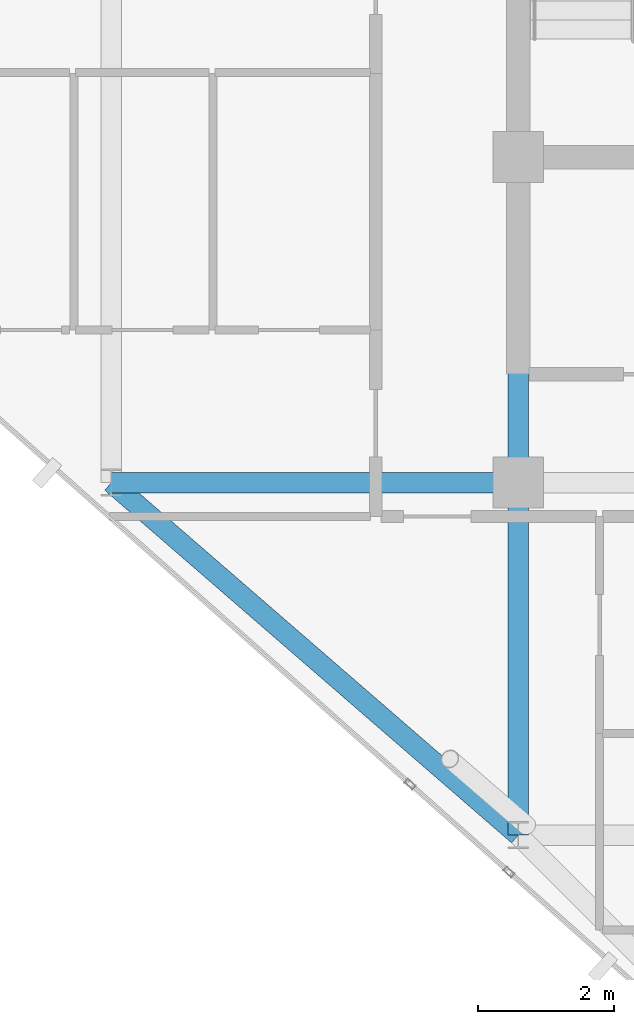
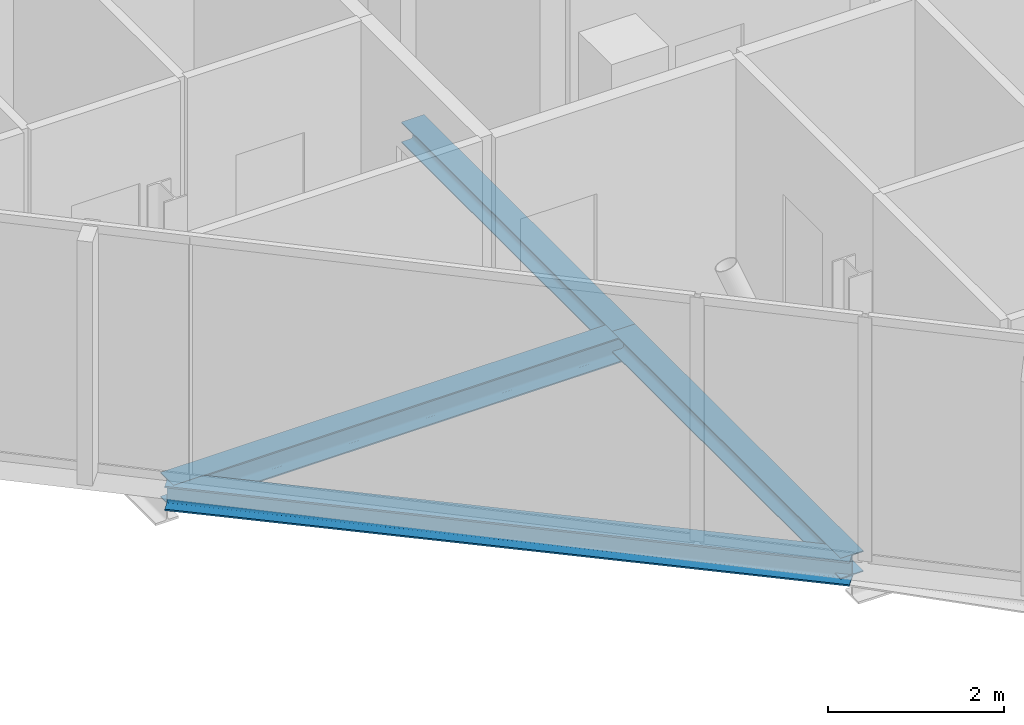
# One storey, part 5 of 27: 4 beams.
"""IFC4 building model written with IfcOpenShell, lengths in metres."""

from ifc_helpers import new_model, si_unit, direction, frame, origin, origin_2d, place, context, subcontext, project, spatial, i_section, extrude, material, material_profile, profile_set, type_object, element, save


model = new_model("IFC4")

# Units and contexts
model_context = context("Model", 3, precision=1e-05, world=origin(), true_north=direction((0.0, 1.0)))
body_context = subcontext(model_context, "Body", "Model", "MODEL_VIEW")
ifc_project = project(units=[si_unit("LENGTHUNIT", "METRE"), si_unit("AREAUNIT", "SQUARE_METRE"), si_unit("VOLUMEUNIT", "CUBIC_METRE"), si_unit("PLANEANGLEUNIT", "RADIAN"), si_unit("MASSUNIT", "GRAM", prefix="KILO")], contexts=[model_context])

# Site, building, storey
site_placement = place(None, origin())
site = spatial("IfcSite", under=ifc_project, at=site_placement, CompositionType="ELEMENT")
building_placement = place(site_placement, origin())
building = spatial("IfcBuilding", under=site, at=building_placement, Name="Keshet Zoharim Tower", CompositionType="ELEMENT")
storey_placement = place(building_placement, frame((0.0, 0.0, 273.199951171875)))
storey = spatial("IfcBuildingStorey", under=building, at=storey_placement, Name="L68", CompositionType="ELEMENT", Elevation=273.199951171875)

# Beams
ifc_material = material(Name="Steel S355", Category="steel")
ifc_material_profile_1 = material_profile(ifc_material, i_section(OverallWidth=0.300048828125, OverallDepth=0.2900390625, WebThickness=0.008544921875, FlangeThickness=0.013916015625, FilletRadius=0.027099609375, at=origin_2d()), Name="HEA300")
ifc_profile_set_1 = profile_set([ifc_material_profile_1], Name="Steel S355")
beam_type_1 = type_object("IfcBeamType", Name="BM-PRI-HA300", PredefinedType="BEAM", material=ifc_profile_set_1)
beam_1_placement = place(storey_placement, frame((15.0, 12.699951171875, -0.454833984375), z_axis=(0.0, 1.0, 0.0), x_axis=(-1.0, 0.0, 0.0)))
element("IfcBeam", 1, at=beam_1_placement, inside=storey, type_object=beam_type_1, Name="L68 Primary Girder Y-002", PredefinedType="BEAM", context=body_context, shape_type="SweptSolid", body=[
    extrude(i_section(OverallWidth=0.300048828125, OverallDepth=0.2900390625, WebThickness=0.008544921875, FlangeThickness=0.013916015625, FilletRadius=0.027099609375, at=origin_2d()), origin(), (0.0, 0.0, 1.0), 5.199951171875),
])
beam_2_placement = place(storey_placement, frame((15.0, 17.89990234375, -0.454833984375), z_axis=(0.0, 1.0, 0.0), x_axis=(-1.0, 0.0, 0.0)))
element("IfcBeam", 2, at=beam_2_placement, inside=storey, type_object=beam_type_1, Name="L68 Primary Girder Y-003", PredefinedType="BEAM", context=body_context, shape_type="SweptSolid", body=[
    extrude(i_section(OverallWidth=0.300048828125, OverallDepth=0.2900390625, WebThickness=0.008544921875, FlangeThickness=0.013916015625, FilletRadius=0.027099609375, at=origin_2d()), origin(), (0.0, 0.0, 1.0), 4.800048828125),
])
ifc_material_profile_2 = material_profile(ifc_material, i_section(OverallWidth=0.300048828125, OverallDepth=0.35009765625, WebThickness=0.010009765625, FlangeThickness=0.017578125, FilletRadius=0.027099609375, at=origin_2d()), Name="HEA360")
ifc_profile_set_2 = profile_set([ifc_material_profile_2], Name="Steel S355")
beam_type_2 = type_object("IfcBeamType", Name="BM-PRI-HA360", PredefinedType="BEAM", material=ifc_profile_set_2)
beam_3_placement = place(storey_placement, frame((9.0, 17.89990234375, -0.48486328125), z_axis=(1.0, 0.0, 0.0), x_axis=(0.0, 1.0, 0.0)))
element("IfcBeam", 3, at=beam_3_placement, inside=storey, type_object=beam_type_2, Name="L68 Primary Girder X-005", PredefinedType="BEAM", context=body_context, shape_type="SweptSolid", body=[
    extrude(i_section(OverallWidth=0.300048828125, OverallDepth=0.35009765625, WebThickness=0.010009765625, FlangeThickness=0.017578125, FilletRadius=0.027099609375, at=origin_2d()), origin(), (0.0, 0.0, 1.0), 6.0),
])
ifc_material_profile_3 = material_profile(ifc_material, i_section(OverallWidth=0.300048828125, OverallDepth=0.340087890625, WebThickness=0.011962890625, FlangeThickness=0.021484375, FilletRadius=0.027099609375, at=origin_2d()), Name="HEB340")
ifc_profile_set_3 = profile_set([ifc_material_profile_3], Name="Steel S355")
beam_type_3 = type_object("IfcBeamType", Name="BM-SPN-HB340", PredefinedType="SPANDREL", material=ifc_profile_set_3)
beam_4_placement = place(storey_placement, frame((9.0, 17.89990234375, -0.47998046875), z_axis=(0.755692126483, -0.654927026447, 0.0), x_axis=(0.654927026447, 0.755692126483, 0.0)))
element("IfcBeam", 4, at=beam_4_placement, inside=storey, type_object=beam_type_3, Name="L68 Perimeter Spandrel Beam 02", PredefinedType="SPANDREL", context=body_context, shape_type="SweptSolid", body=[
    extrude(i_section(OverallWidth=0.300048828125, OverallDepth=0.340087890625, WebThickness=0.011962890625, FlangeThickness=0.021484375, FilletRadius=0.027099609375, at=origin_2d()), origin(), (0.0, 0.0, 1.0), 7.939697265625),
])

save(model, "model.ifc")
